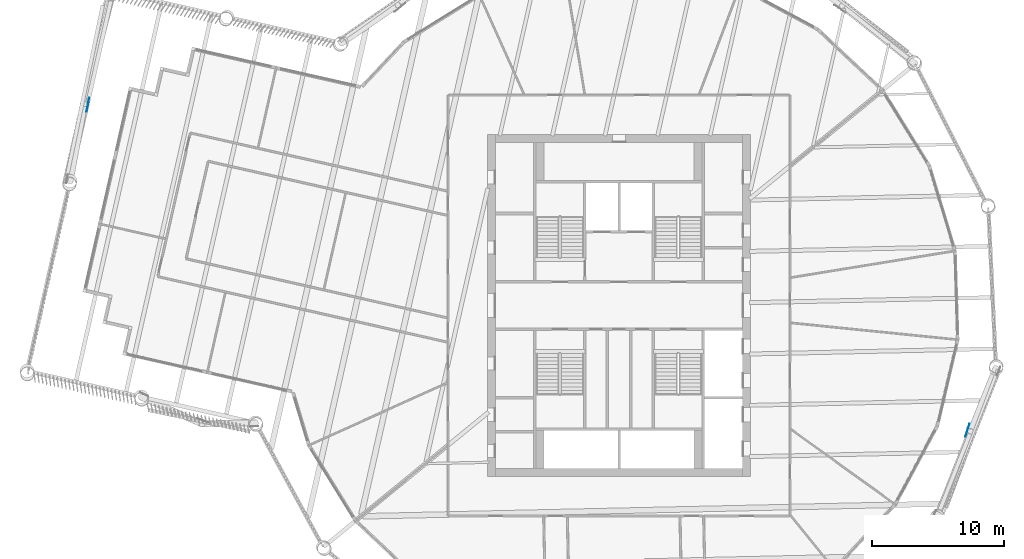
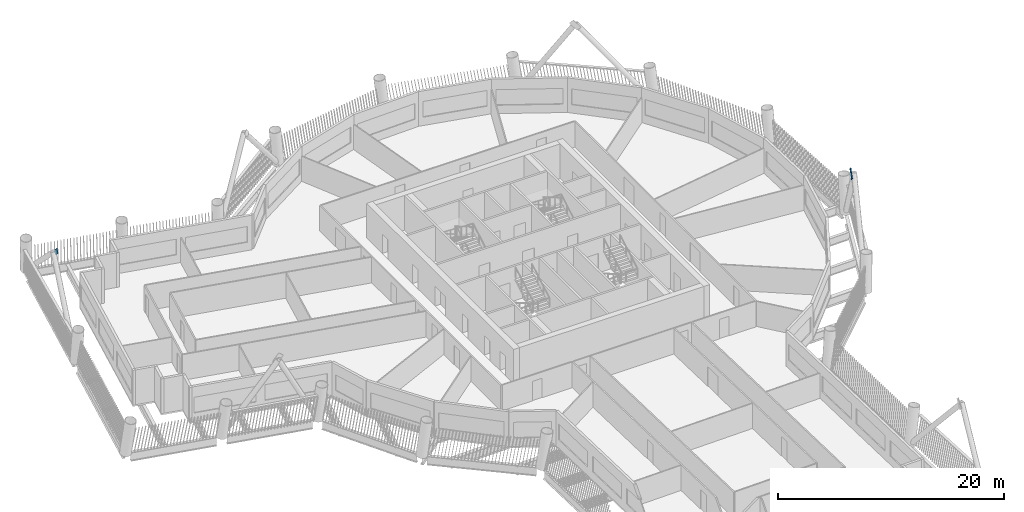
# One storey, part 10 of 23: 2 discrete accessories.
"""IFC4 building model written with IfcOpenShell, lengths in metres."""

from ifc_helpers import new_model, si_unit, direction, frame, origin, origin_2d, place, context, subcontext, project, spatial, rectangle, extrude, material, material_profile, profile_set, type_object, element, save


model = new_model("IFC4")

# Units and contexts
model_context = context("Model", 3, precision=1e-05, world=origin(), true_north=direction((0.0, 1.0)))
body_context = subcontext(model_context, "Body", "Model", "MODEL_VIEW")
ifc_project = project(units=[si_unit("LENGTHUNIT", "METRE"), si_unit("AREAUNIT", "SQUARE_METRE"), si_unit("VOLUMEUNIT", "CUBIC_METRE"), si_unit("PLANEANGLEUNIT", "RADIAN"), si_unit("MASSUNIT", "GRAM", prefix="KILO")], contexts=[model_context])

# Site, building, storey
site_placement = place(None, origin())
site = spatial("IfcSite", under=ifc_project, at=site_placement, CompositionType="ELEMENT")
building_placement = place(site_placement, origin())
building = spatial("IfcBuilding", under=site, at=building_placement, Name="Tarsis Ring Headquarters", CompositionType="ELEMENT")
storey_placement = place(building_placement, frame((0.0, 0.0, 231.60009765625)))
storey = spatial("IfcBuildingStorey", under=building, at=storey_placement, Name="L54", CompositionType="ELEMENT", Elevation=231.60009765625)

# Discrete accessories
ifc_material = material(Name="Structural steel S355", Category="steel")
ifc_material_profile = material_profile(ifc_material, rectangle(XDim=0.02490234375, YDim=0.5, at=origin_2d()), Name="PL 25x500")
ifc_profile_set = profile_set([ifc_material_profile], Name="Structural steel S355")
discrete_accessory_type = type_object("IfcDiscreteAccessoryType", Name="Gusset plate Exo brace 25", PredefinedType="BRACKET", material=ifc_profile_set)
for number, where, z_axis, x_axis, name in (
    (1, (26.37744140625, -9.80859375, 7.429931640625), (0.206312121784, 0.640422124781, 0.739793762137), (-0.951828250599, 0.306631670513, 0.0), "Gusset plate GP5"),
    (2, (-40.313232421875, 15.63671875, 7.469482421875), (-0.138909950893, -0.737760758522, 0.660615689133), (0.982732009579, -0.185034584199, 0.0), "Gusset plate GP5"),
):
    element("IfcDiscreteAccessory", number, at=place(storey_placement, frame(where, z_axis=z_axis, x_axis=x_axis)), inside=storey, type_object=discrete_accessory_type, Name=name, PredefinedType="BRACKET", context=body_context, shape_type="SweptSolid", body=[
        extrude(rectangle(XDim=0.02490234375, YDim=0.5, at=origin_2d()), origin(), (0.0, 0.0, 1.0), 1.0),
    ])

save(model, "model.ifc")
